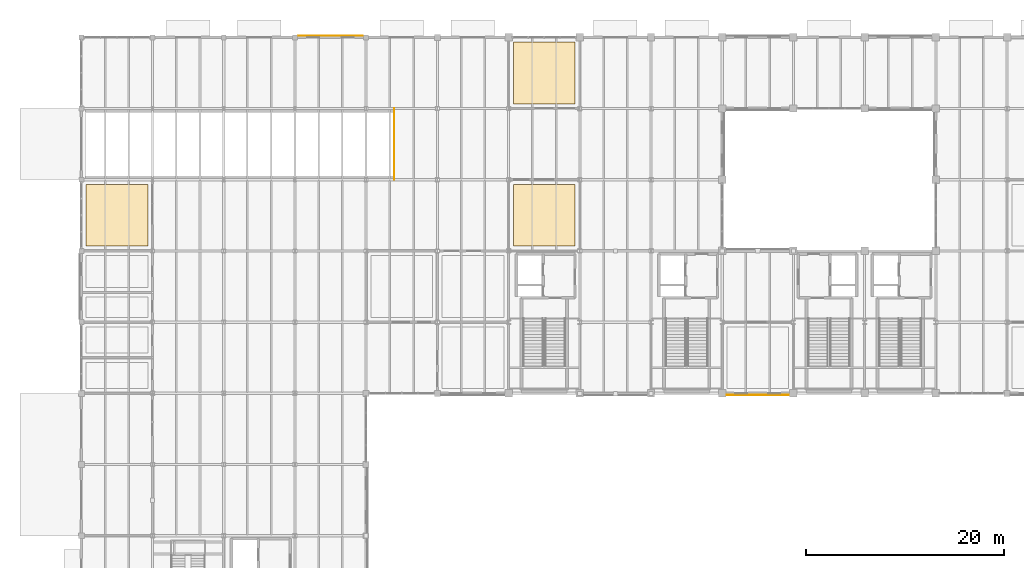
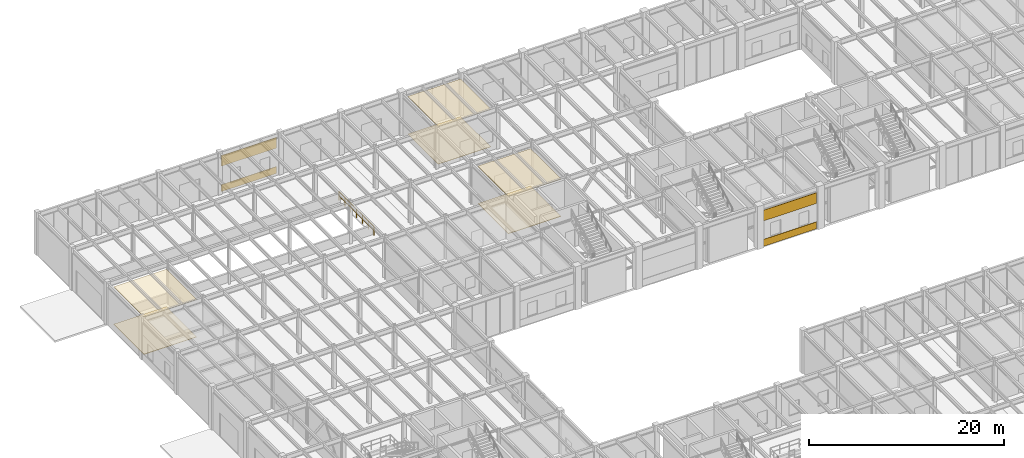
# One storey, part 94 of 97: 10 coverings, 1 railing.
"""IFC4 building model written with IfcOpenShell, lengths in metres."""

from ifc_helpers import new_model, si_unit, direction, frame, frame_2d, origin, origin_2d, place, context, subcontext, project, spatial, polyline, rectangle, circle, outline, extrude, material, layer, layer_set, type_object, element, save


model = new_model("IFC4")

# Units and contexts
model_context = context("Model", 3, precision=1e-05, world=origin(), true_north=direction((0.0, 1.0)))
body_context = subcontext(model_context, "Body", "Model", "MODEL_VIEW")
ifc_project = project(units=[si_unit("LENGTHUNIT", "METRE"), si_unit("AREAUNIT", "SQUARE_METRE"), si_unit("VOLUMEUNIT", "CUBIC_METRE"), si_unit("PLANEANGLEUNIT", "RADIAN"), si_unit("MASSUNIT", "GRAM", prefix="KILO")], contexts=[model_context])

# Site, building, storey
site_placement = place(None, origin())
site = spatial("IfcSite", under=ifc_project, at=site_placement, CompositionType="ELEMENT")
building_placement = place(site_placement, origin())
building = spatial("IfcBuilding", under=site, at=building_placement, Name="Sillqori Civic Hall", CompositionType="ELEMENT")
storey_placement = place(building_placement, origin())
storey = spatial("IfcBuildingStorey", under=building, at=storey_placement, Name="L01", CompositionType="ELEMENT", Elevation=0.0)

# Coverings
ifc_material_1 = material(Name="Perforated Acoustic Gypsum Board Ceiling", Category="gypsum")
ifc_layer_1 = layer(ifc_material_1, 0.030029296875)
ifc_layer_set_1 = layer_set([ifc_layer_1], Name="Perforated Acoustic Gypsum Board Ceiling")
covering_type_1 = type_object("IfcCoveringType", Name="COV-CEIL-GYP", PredefinedType="CEILING", material=ifc_layer_set_1)
covering_1_placement = place(storey_placement, frame((0.0, 0.0, 4.719970703125)))
element("IfcCovering", 1, at=covering_1_placement, inside=storey, type_object=covering_type_1, Name="Business Licensing Intake Hall L01-06 acoustic ceiling", PredefinedType="CEILING", context=body_context, shape_type="SweptSolid", body=[
    extrude(outline(polyline([(50.8798828125, 108.47998046875), (57.1201171875, 108.47998046875), (57.1201171875, 114.719970703125), (50.8798828125, 114.719970703125), (50.8798828125, 108.47998046875)])), origin(), (0.0, 0.0, 1.0), 0.030029296875),
])
ifc_material_2 = material(Name="Chamber Acoustic Coffer Liner 84", Category="timber")
ifc_layer_2 = layer(ifc_material_2, 0.083984375)
ifc_layer_set_2 = layer_set([ifc_layer_2], Name="Chamber Acoustic Coffer Liner 84")
covering_type_2 = type_object("IfcCoveringType", Name="COV-CEIL-M84", PredefinedType="CEILING", material=ifc_layer_set_2)
covering_2_placement = place(storey_placement, frame((0.0, 0.0, 4.666015625)))
element("IfcCovering", 2, at=covering_2_placement, inside=storey, type_object=covering_type_2, Name="Municipal Cadastre Public Counter L01-05 acoustic ceiling", PredefinedType="CEILING", context=body_context, shape_type="SweptSolid", body=[
    extrude(outline(polyline([(50.8798828125, 94.080078125), (57.1201171875, 94.080078125), (57.1201171875, 100.320068359375), (50.8798828125, 100.320068359375), (50.8798828125, 94.080078125)])), origin(), (0.0, 0.0, 1.0), 0.083984375),
])
ifc_material_3 = material(Name="Andean Cedar Slatted Baffle 46", Category="timber")
ifc_layer_3 = layer(ifc_material_3, 0.0458984375)
ifc_layer_set_3 = layer_set([ifc_layer_3], Name="Andean Cedar Slatted Baffle 46")
covering_type_3 = type_object("IfcCoveringType", Name="COV-CEIL-T46", PredefinedType="CEILING", material=ifc_layer_set_3)
covering_3_placement = place(storey_placement, frame((0.0, 0.0, 4.7041015625)))
element("IfcCovering", 3, at=covering_3_placement, inside=storey, type_object=covering_type_3, Name="Municipal Cadastre Public Counter acoustic ceiling", PredefinedType="CEILING", context=body_context, shape_type="SweptSolid", body=[
    extrude(outline(polyline([(7.679931640625, 94.080078125), (13.919921875, 94.080078125), (13.919921875, 100.320068359375), (7.679931640625, 100.320068359375), (7.679931640625, 94.080078125)])), origin(), (0.0, 0.0, 1.0), 0.0458984375),
])
ifc_material_4 = material(Name="Cochabamba Honed Limestone Cladding", Category="masonry")
ifc_layer_4 = layer(ifc_material_4, 0.044921875)
ifc_layer_set_4 = layer_set([ifc_layer_4], Name="Cochabamba Honed Limestone Cladding")
covering_type_4 = type_object("IfcCoveringType", Name="COV-CLAD-LIME", PredefinedType="CLADDING", material=ifc_layer_set_4)
covering_4_placement = place(storey_placement, frame((29.1298828125, 115.360107421875, 0.0400390625), z_axis=(0.0, 0.0, 1.0), x_axis=(1.0, 0.0, 0.0)))
element("IfcCovering", 4, at=covering_4_placement, inside=storey, type_object=covering_type_4, Name="L01 limestone spandrel cladding L01-04-15-N", PredefinedType="CLADDING", context=body_context, shape_type="SweptSolid", body=[
    extrude(rectangle(XDim=6.5400390625, YDim=0.044921875, at=frame_2d((3.27001953125, 0.0))), origin(), (0.0, 0.0, 1.0), 0.85986328125),
])
covering_5_placement = place(storey_placement, frame((29.1298828125, 115.360107421875, 3.219970703125), z_axis=(0.0, 0.0, 1.0), x_axis=(1.0, 0.0, 0.0)))
element("IfcCovering", 5, at=covering_5_placement, inside=storey, type_object=covering_type_4, Name="L01 limestone frieze cladding L01-04-15-N", PredefinedType="CLADDING", context=body_context, shape_type="SweptSolid", body=[
    extrude(rectangle(XDim=6.5400390625, YDim=0.044921875, at=frame_2d((3.27001953125, 0.0))), origin(), (0.0, 0.0, 1.0), 1.338134765625),
])
covering_6_placement = place(storey_placement, frame((78.7451171875, 79.0400390625, 0.0400390625), z_axis=(0.0, 0.0, 1.0), x_axis=(-1.0, 0.0, 0.0)))
element("IfcCovering", 6, at=covering_6_placement, inside=storey, type_object=covering_type_4, Name="L01 limestone spandrel cladding L01-10-11-S", PredefinedType="CLADDING", context=body_context, shape_type="SweptSolid", body=[
    extrude(rectangle(XDim=6.2900390625, YDim=0.044921875, at=frame_2d((3.14501953125, 0.0))), origin(), (0.0, 0.0, 1.0), 0.85986328125),
])
covering_7_placement = place(storey_placement, frame((78.7451171875, 79.0400390625, 3.219970703125), z_axis=(0.0, 0.0, 1.0), x_axis=(-1.0, 0.0, 0.0)))
element("IfcCovering", 7, at=covering_7_placement, inside=storey, type_object=covering_type_4, Name="L01 limestone frieze cladding L01-10-11-S", PredefinedType="CLADDING", context=body_context, shape_type="SweptSolid", body=[
    extrude(rectangle(XDim=6.2900390625, YDim=0.044921875, at=frame_2d((3.14501953125, 0.0))), origin(), (0.0, 0.0, 1.0), 1.338134765625),
])
ifc_material_5 = material(Name="Thick Ceremonial Limestone Flagstone 50", Category="masonry")
ifc_layer_5 = layer(ifc_material_5, 0.050048828125)
ifc_layer_set_5 = layer_set([ifc_layer_5], Name="Thick Ceremonial Limestone Flagstone 50")
covering_type_5 = type_object("IfcCoveringType", Name="COV-FLR-S50", PredefinedType="FLOORING", material=ifc_layer_set_5)
covering_8_placement = place(storey_placement, origin())
element("IfcCovering", 8, at=covering_8_placement, inside=storey, type_object=covering_type_5, Name="Municipal Cadastre Public Counter floor finish", PredefinedType="FLOORING", context=body_context, shape_type="SweptSolid", body=[
    extrude(outline(polyline([(7.679931640625, 94.080078125), (13.919921875, 94.080078125), (13.919921875, 100.320068359375), (7.679931640625, 100.320068359375), (7.679931640625, 94.080078125)])), origin(), (0.0, 0.0, 1.0), 0.050048828125),
])
ifc_material_6 = material(Name="Raised Access Technical Floor Panel 62", Category="stone")
ifc_layer_6 = layer(ifc_material_6, 0.06201171875)
ifc_layer_set_6 = layer_set([ifc_layer_6], Name="Raised Access Technical Floor Panel 62")
covering_type_6 = type_object("IfcCoveringType", Name="COV-FLR-S62", PredefinedType="FLOORING", material=ifc_layer_set_6)
covering_9_placement = place(storey_placement, origin())
element("IfcCovering", 9, at=covering_9_placement, inside=storey, type_object=covering_type_6, Name="Municipal Cadastre Public Counter L01-05 floor finish", PredefinedType="FLOORING", context=body_context, shape_type="SweptSolid", body=[
    extrude(outline(polyline([(50.8798828125, 94.080078125), (57.1201171875, 94.080078125), (57.1201171875, 100.320068359375), (50.8798828125, 100.320068359375), (50.8798828125, 94.080078125)])), origin(), (0.0, 0.0, 1.0), 0.06201171875),
])
ifc_material_7 = material(Name="Honed Cochabamba Limestone Terrazzo", Category="masonry")
ifc_layer_7 = layer(ifc_material_7, 0.031982421875)
ifc_layer_set_7 = layer_set([ifc_layer_7], Name="Honed Cochabamba Limestone Terrazzo")
covering_type_7 = type_object("IfcCoveringType", Name="COV-FLR-TRZ", PredefinedType="FLOORING", material=ifc_layer_set_7)
covering_10_placement = place(storey_placement, origin())
element("IfcCovering", 10, at=covering_10_placement, inside=storey, type_object=covering_type_7, Name="Business Licensing Intake Hall L01-06 floor finish", PredefinedType="FLOORING", context=body_context, shape_type="SweptSolid", body=[
    extrude(outline(polyline([(50.8798828125, 108.47998046875), (57.1201171875, 108.47998046875), (57.1201171875, 114.719970703125), (50.8798828125, 114.719970703125), (50.8798828125, 108.47998046875)])), origin(), (0.0, 0.0, 1.0), 0.031982421875),
])

# Railing
ifc_material_8 = material(Name="Stainless Steel 316 and Laminated Balustrade", Category="steel")
ifc_layer_8 = layer(ifc_material_8, 0.06005859375)
ifc_layer_set_8 = layer_set([ifc_layer_8], Name="Stainless Steel 316 and Laminated Balustrade")
railing_type = type_object("IfcRailingType", Name="RLG-TERR-112", PredefinedType="GUARDRAIL", material=ifc_layer_set_8)
railing_placement = place(storey_placement, frame((38.840087890625, 100.800048828125, 0.0)))
element("IfcRailing", 11, at=railing_placement, inside=storey, type_object=railing_type, Name="L01 vehicle ramp well head guardrail", PredefinedType="GUARDRAIL", context=body_context, shape_type="SweptSolid", body=[
    extrude(circle(Radius=0.02392578125, at=origin_2d()), frame((0.0, 0.0, 1.09619140625), z_axis=(0.0, 1.0, 0.0), x_axis=(-1.0, 0.0, 0.0)), (0.0, 0.0, 1.0), 7.199951171875),
    extrude(circle(Radius=0.02392578125, at=origin_2d()), frame((0.0, 0.0, 0.56005859375), z_axis=(0.0, 1.0, 0.0), x_axis=(-1.0, 0.0, 0.0)), (0.0, 0.0, 1.0), 7.199951171875),
    extrude(circle(Radius=0.02099609375, at=origin_2d()), origin(), (0.0, 0.0, 1.0), 1.072021484375),
    extrude(circle(Radius=0.02099609375, at=origin_2d()), frame((0.0, 1.199951171875, 0.0)), (0.0, 0.0, 1.0), 1.072021484375),
    extrude(circle(Radius=0.02099609375, at=origin_2d()), frame((0.0, 2.39990234375, 0.0)), (0.0, 0.0, 1.0), 1.072021484375),
    extrude(circle(Radius=0.02099609375, at=origin_2d()), frame((0.0, 3.60009765625, 0.0)), (0.0, 0.0, 1.0), 1.072021484375),
    extrude(circle(Radius=0.02099609375, at=origin_2d()), frame((0.0, 4.800048828125, 0.0)), (0.0, 0.0, 1.0), 1.072021484375),
    extrude(circle(Radius=0.02099609375, at=origin_2d()), frame((0.0, 6.0, 0.0)), (0.0, 0.0, 1.0), 1.072021484375),
    extrude(circle(Radius=0.02099609375, at=origin_2d()), frame((0.0, 7.199951171875, 0.0)), (0.0, 0.0, 1.0), 1.072021484375),
])

save(model, "model.ifc")
